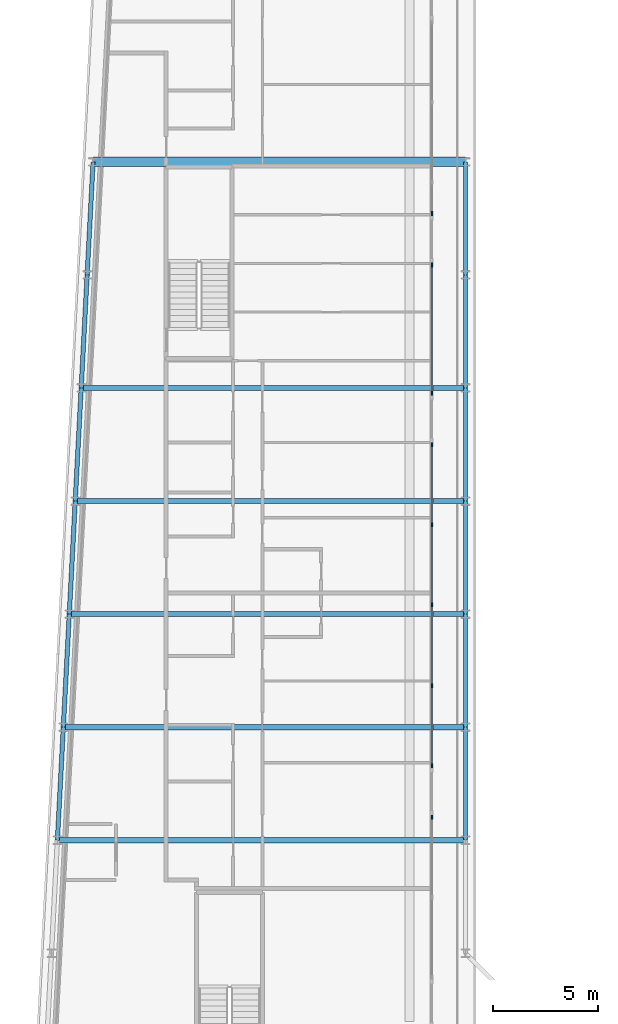
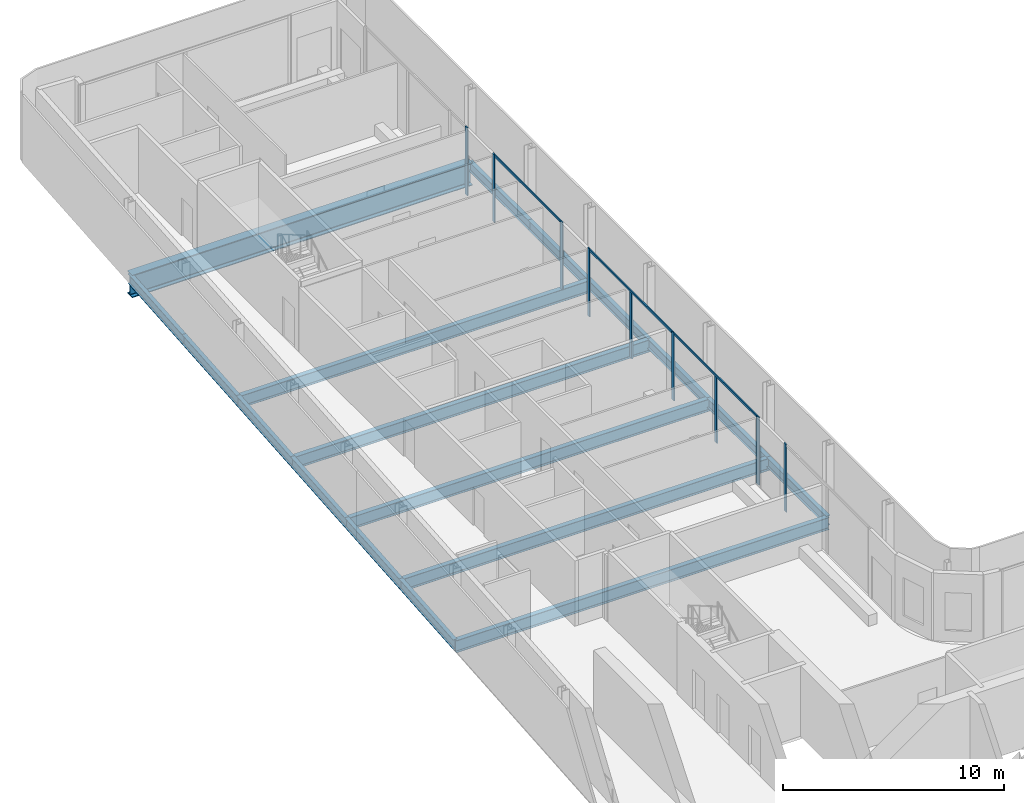
# One storey, part 7 of 20: 18 beams, 12 members, 5 elements without a shape of their own.
"""IFC4 building model written with IfcOpenShell, lengths in metres."""

from ifc_helpers import new_model, si_unit, direction, frame, origin, origin_2d, place, context, subcontext, project, spatial, rectangle, i_section, extrude, material, layer, layer_set, material_profile, profile_set, type_object, element, aggregate, save


model = new_model("IFC4")

# Units and contexts
model_context = context("Model", 3, precision=1e-05, world=origin(), true_north=direction((0.0, 1.0)))
body_context = subcontext(model_context, "Body", "Model", "MODEL_VIEW")
ifc_project = project(units=[si_unit("LENGTHUNIT", "METRE"), si_unit("AREAUNIT", "SQUARE_METRE"), si_unit("VOLUMEUNIT", "CUBIC_METRE"), si_unit("PLANEANGLEUNIT", "RADIAN"), si_unit("MASSUNIT", "GRAM", prefix="KILO")], contexts=[model_context])

# Site, building, storey
site_placement = place(None, origin())
site = spatial("IfcSite", under=ifc_project, at=site_placement, CompositionType="ELEMENT")
building_placement = place(site_placement, origin())
building = spatial("IfcBuilding", under=site, at=building_placement, Name="Kheshtan School and Residences Tower", CompositionType="ELEMENT")
storey_placement = place(building_placement, frame((0.0, 0.0, 286.39990234375)))
storey = spatial("IfcBuildingStorey", under=building, at=storey_placement, Name="L67", CompositionType="ELEMENT", Elevation=286.39990234375)

# Beams
ifc_material_1 = material(Name="Steel ASTM A992 Grade 50", Category="steel")
ifc_material_profile_1 = material_profile(ifc_material_1, i_section(OverallWidth=0.2529296875, OverallDepth=0.677978515625, WebThickness=0.01171875, FlangeThickness=0.016357421875, FilletRadius=0.0146484375, at=origin_2d()), Name="W690x125")
ifc_profile_set_1 = profile_set([ifc_material_profile_1], Name="Steel ASTM A992 Grade 50")
beam_type_1 = type_object("IfcBeamType", Name="Beam FB6 W690x125 ASTM A992 Grade 50", PredefinedType="BEAM", material=ifc_profile_set_1)
beam_1_placement = place(storey_placement, frame((47.60009765625, 78.0, -0.489013671875), z_axis=(-1.0, 0.0, 0.0), x_axis=(0.0, -1.0, 0.0)))
element("IfcBeam", 1, at=beam_1_placement, inside=storey, type_object=beam_type_1, Name="Floor beam C089", PredefinedType="BEAM", context=body_context, shape_type="SweptSolid", body=[
    extrude(i_section(OverallWidth=0.2529296875, OverallDepth=0.677978515625, WebThickness=0.01171875, FlangeThickness=0.016357421875, FilletRadius=0.0146484375, at=origin_2d()), origin(), (0.0, 0.0, 1.0), 18.357177734375),
])
beam_2_placement = place(storey_placement, frame((47.60009765625, 67.199951171875, -0.489013671875), z_axis=(-1.0, 0.0, 0.0), x_axis=(0.0, -1.0, 0.0)))
element("IfcBeam", 2, at=beam_2_placement, inside=storey, type_object=beam_type_1, Name="Floor beam C085", PredefinedType="BEAM", context=body_context, shape_type="SweptSolid", body=[
    extrude(i_section(OverallWidth=0.2529296875, OverallDepth=0.677978515625, WebThickness=0.01171875, FlangeThickness=0.016357421875, FilletRadius=0.0146484375, at=origin_2d()), origin(), (0.0, 0.0, 1.0), 18.926025390625),
])
beam_3_placement = place(storey_placement, frame((47.60009765625, 56.39990234375, -0.489013671875), z_axis=(-1.0, 0.0, 0.0), x_axis=(0.0, -1.0, 0.0)))
element("IfcBeam", 3, at=beam_3_placement, inside=storey, type_object=beam_type_1, Name="Floor beam C081", PredefinedType="BEAM", context=body_context, shape_type="SweptSolid", body=[
    extrude(i_section(OverallWidth=0.2529296875, OverallDepth=0.677978515625, WebThickness=0.01171875, FlangeThickness=0.016357421875, FilletRadius=0.0146484375, at=origin_2d()), origin(), (0.0, 0.0, 1.0), 19.494140625),
])
beam_4_placement = place(storey_placement, frame((28.389892578125, 61.800048828125, -0.489013671875), z_axis=(1.0, 0.0, 0.0), x_axis=(0.0, 1.0, 0.0)))
element("IfcBeam", 4, at=beam_4_placement, inside=storey, type_object=beam_type_1, Name="Floor beam C082", PredefinedType="BEAM", context=body_context, shape_type="SweptSolid", body=[
    extrude(i_section(OverallWidth=0.2529296875, OverallDepth=0.677978515625, WebThickness=0.01171875, FlangeThickness=0.016357421875, FilletRadius=0.0146484375, at=origin_2d()), origin(), (0.0, 0.0, 1.0), 19.210205078125),
])
beam_5_placement = place(storey_placement, frame((28.9580078125, 72.60009765625, -0.489013671875), z_axis=(1.0, 0.0, 0.0), x_axis=(0.0, 1.0, 0.0)))
element("IfcBeam", 5, at=beam_5_placement, inside=storey, type_object=beam_type_1, Name="Floor beam C086", PredefinedType="BEAM", context=body_context, shape_type="SweptSolid", body=[
    extrude(i_section(OverallWidth=0.2529296875, OverallDepth=0.677978515625, WebThickness=0.01171875, FlangeThickness=0.016357421875, FilletRadius=0.0146484375, at=origin_2d()), origin(), (0.0, 0.0, 1.0), 18.64208984375),
])
ifc_material_profile_2 = material_profile(ifc_material_1, i_section(OverallWidth=0.208984375, OverallDepth=0.532958984375, WebThickness=0.01025390625, FlangeThickness=0.015625, FilletRadius=0.013916015625, at=origin_2d()), Name="W530x92")
ifc_profile_set_2 = profile_set([ifc_material_profile_2], Name="Steel ASTM A992 Grade 50")
beam_type_2 = type_object("IfcBeamType", Name="Beam SP3 W530x92 ASTM A992 Grade 50", PredefinedType="BEAM", material=ifc_profile_set_2)
beam_6_placement = place(storey_placement, frame((47.60009765625, 88.800048828125, -0.41650390625), z_axis=(0.0, -1.0, 0.0), x_axis=(1.0, 0.0, 0.0)))
element("IfcBeam", 6, at=beam_6_placement, inside=storey, type_object=beam_type_2, Name="Spandrel beam C099-C091", PredefinedType="BEAM", context=body_context, shape_type="SweptSolid", body=[
    extrude(i_section(OverallWidth=0.208984375, OverallDepth=0.532958984375, WebThickness=0.01025390625, FlangeThickness=0.015625, FilletRadius=0.013916015625, at=origin_2d()), origin(), (0.0, 0.0, 1.0), 5.400146484375),
])
for number, where, z_axis, x_axis, name in (
    (7, (47.60009765625, 83.39990234375, -0.41650390625), (0.0, -1.0, 0.0), (1.0, 0.0, 0.0), "Spandrel beam C091-C089"),
    (8, (47.60009765625, 78.0, -0.41650390625), (0.0, -1.0, 0.0), (1.0, 0.0, 0.0), "Spandrel beam C089-C087"),
):
    element("IfcBeam", number, at=place(storey_placement, frame(where, z_axis=z_axis, x_axis=x_axis)), inside=storey, type_object=beam_type_2, Name=name, PredefinedType="BEAM", context=body_context, shape_type="SweptSolid", body=[
        extrude(i_section(OverallWidth=0.208984375, OverallDepth=0.532958984375, WebThickness=0.01025390625, FlangeThickness=0.015625, FilletRadius=0.013916015625, at=origin_2d()), origin(), (0.0, 0.0, 1.0), 5.39990234375),
    ])
beam_7_placement = place(storey_placement, frame((47.60009765625, 72.60009765625, -0.41650390625), z_axis=(0.0, -1.0, 0.0), x_axis=(1.0, 0.0, 0.0)))
element("IfcBeam", 9, at=beam_7_placement, inside=storey, type_object=beam_type_2, Name="Spandrel beam C087-C085", PredefinedType="BEAM", context=body_context, shape_type="SweptSolid", body=[
    extrude(i_section(OverallWidth=0.208984375, OverallDepth=0.532958984375, WebThickness=0.01025390625, FlangeThickness=0.015625, FilletRadius=0.013916015625, at=origin_2d()), origin(), (0.0, 0.0, 1.0), 5.400146484375),
])
beam_8_placement = place(storey_placement, frame((47.60009765625, 67.199951171875, -0.41650390625), z_axis=(0.0, -1.0, 0.0), x_axis=(1.0, 0.0, 0.0)))
element("IfcBeam", 10, at=beam_8_placement, inside=storey, type_object=beam_type_2, Name="Spandrel beam C085-C083", PredefinedType="BEAM", context=body_context, shape_type="SweptSolid", body=[
    extrude(i_section(OverallWidth=0.208984375, OverallDepth=0.532958984375, WebThickness=0.01025390625, FlangeThickness=0.015625, FilletRadius=0.013916015625, at=origin_2d()), origin(), (0.0, 0.0, 1.0), 5.39990234375),
])
beam_9_placement = place(storey_placement, frame((47.60009765625, 61.800048828125, -0.41650390625), z_axis=(0.0, -1.0, 0.0), x_axis=(1.0, 0.0, 0.0)))
element("IfcBeam", 11, at=beam_9_placement, inside=storey, type_object=beam_type_2, Name="Spandrel beam C083-C081", PredefinedType="BEAM", context=body_context, shape_type="SweptSolid", body=[
    extrude(i_section(OverallWidth=0.208984375, OverallDepth=0.532958984375, WebThickness=0.01025390625, FlangeThickness=0.015625, FilletRadius=0.013916015625, at=origin_2d()), origin(), (0.0, 0.0, 1.0), 5.400146484375),
])
beam_10_placement = place(storey_placement, frame((28.10595703125, 56.39990234375, -0.41650390625), z_axis=(0.05250670125, 0.998620571751, 0.0), x_axis=(-0.998620571751, 0.05250670125, 0.0)))
element("IfcBeam", 12, at=beam_10_placement, inside=storey, type_object=beam_type_2, Name="Spandrel beam C080-C082", PredefinedType="BEAM", context=body_context, shape_type="SweptSolid", body=[
    extrude(i_section(OverallWidth=0.208984375, OverallDepth=0.532958984375, WebThickness=0.01025390625, FlangeThickness=0.015625, FilletRadius=0.013916015625, at=origin_2d()), origin(), (0.0, 0.0, 1.0), 5.40771484375),
])
beam_11_placement = place(storey_placement, frame((28.389892578125, 61.800048828125, -0.41650390625), z_axis=(0.052554093665, 0.998618078766, 0.0), x_axis=(-0.998618078766, 0.052554093665, 0.0)))
element("IfcBeam", 13, at=beam_11_placement, inside=storey, type_object=beam_type_2, Name="Spandrel beam C082-C084", PredefinedType="BEAM", context=body_context, shape_type="SweptSolid", body=[
    extrude(i_section(OverallWidth=0.208984375, OverallDepth=0.532958984375, WebThickness=0.01025390625, FlangeThickness=0.015625, FilletRadius=0.013916015625, at=origin_2d()), origin(), (0.0, 0.0, 1.0), 5.407470703125),
])
beam_12_placement = place(storey_placement, frame((28.674072265625, 67.199951171875, -0.41650390625), z_axis=(0.05250670125, 0.998620571751, 0.0), x_axis=(-0.998620571751, 0.05250670125, 0.0)))
element("IfcBeam", 14, at=beam_12_placement, inside=storey, type_object=beam_type_2, Name="Spandrel beam C084-C086", PredefinedType="BEAM", context=body_context, shape_type="SweptSolid", body=[
    extrude(i_section(OverallWidth=0.208984375, OverallDepth=0.532958984375, WebThickness=0.01025390625, FlangeThickness=0.015625, FilletRadius=0.013916015625, at=origin_2d()), origin(), (0.0, 0.0, 1.0), 5.40771484375),
])
for number, where, z_axis, x_axis, name in (
    (15, (28.9580078125, 72.60009765625, -0.41650390625), (0.052689166816, 0.998610961136, 0.0), (-0.998610961136, 0.052689166816, 0.0), "Spandrel beam C086-C088"),
    (16, (29.242919921875, 78.0, -0.41650390625), (0.052554093665, 0.998618078766, 0.0), (-0.998618078766, 0.052554093665, 0.0), "Spandrel beam C088-C090"),
):
    element("IfcBeam", number, at=place(storey_placement, frame(where, z_axis=z_axis, x_axis=x_axis)), inside=storey, type_object=beam_type_2, Name=name, PredefinedType="BEAM", context=body_context, shape_type="SweptSolid", body=[
        extrude(i_section(OverallWidth=0.208984375, OverallDepth=0.532958984375, WebThickness=0.01025390625, FlangeThickness=0.015625, FilletRadius=0.013916015625, at=origin_2d()), origin(), (0.0, 0.0, 1.0), 5.407470703125),
    ])
beam_13_placement = place(storey_placement, frame((29.527099609375, 83.39990234375, -0.41650390625), z_axis=(0.05250670125, 0.998620571751, 0.0), x_axis=(-0.998620571751, 0.05250670125, 0.0)))
element("IfcBeam", 17, at=beam_13_placement, inside=storey, type_object=beam_type_2, Name="Spandrel beam C090-C098", PredefinedType="BEAM", context=body_context, shape_type="SweptSolid", body=[
    extrude(i_section(OverallWidth=0.208984375, OverallDepth=0.532958984375, WebThickness=0.01025390625, FlangeThickness=0.015625, FilletRadius=0.013916015625, at=origin_2d()), origin(), (0.0, 0.0, 1.0), 5.40771484375),
])

# Curtain wall, member
ifc_material_2 = material(Name="Clear low-e glass in thermally broken aluminium frame", Category="aluminium")
ifc_layer = layer(ifc_material_2, 0.199951171875)
ifc_layer_set = layer_set([ifc_layer], Name="Curtain wall CW-L")
curtain_wall_type = type_object("IfcCurtainWallType", Name="Curtain wall CW-L", PredefinedType="NOTDEFINED", material=ifc_layer_set)
curtain_wall_1_placement = place(storey_placement, origin())
curtain_wall_1 = element("IfcCurtainWall", 18, at=curtain_wall_1_placement, inside=storey, type_object=curtain_wall_type, Name="Curtain wall CWL8a", PredefinedType="NOTDEFINED")
ifc_material_3 = material(Name="Thermally broken aluminium, dark bronze anodised", Category="aluminium")
ifc_material_profile_3 = material_profile(ifc_material_3, rectangle(XDim=0.06005859375, YDim=0.199951171875, at=origin_2d()), Name="CW-L mullion 60x200")
ifc_profile_set_3 = profile_set([ifc_material_profile_3], Name="Thermally broken aluminium, dark bronze anodised")
member_type_1 = type_object("IfcMemberType", Name="CW-L mullion 60x200", PredefinedType="MULLION", material=ifc_profile_set_3)
member_1_placement = place(storey_placement, frame((46.0, 86.3359375, 0.0), z_axis=(0.0, 0.0, 1.0), x_axis=(1.0, 0.0, 0.0)))
member_1 = element("IfcMember", 19, at=member_1_placement, type_object=member_type_1, Name="CWL8a mullion 2", PredefinedType="MULLION", context=body_context, shape_type="SweptSolid", body=[
    extrude(rectangle(XDim=0.06005859375, YDim=0.199951171875, at=origin_2d()), origin(), (0.0, 0.0, 1.0), 3.75),
])
aggregate(curtain_wall_1, [member_1])

# Curtain wall, members
curtain_wall_2_placement = place(storey_placement, origin())
curtain_wall_2 = element("IfcCurtainWall", 20, at=curtain_wall_2_placement, inside=storey, type_object=curtain_wall_type, Name="Curtain wall CWL8d", PredefinedType="NOTDEFINED")
member_2_placement = place(storey_placement, frame((46.0, 83.8759765625, 0.0), z_axis=(0.0, 0.0, 1.0), x_axis=(1.0, 0.0, 0.0)))
member_2 = element("IfcMember", 21, at=member_2_placement, type_object=member_type_1, Name="CWL8d mullion 1", PredefinedType="MULLION", context=body_context, shape_type="SweptSolid", body=[
    extrude(rectangle(XDim=0.06005859375, YDim=0.199951171875, at=origin_2d()), origin(), (0.0, 0.0, 1.0), 3.75),
])
member_3_placement = place(storey_placement, frame((46.0, 77.741943359375, 0.0), z_axis=(0.0, 0.0, 1.0), x_axis=(1.0, 0.0, 0.0)))
member_3 = element("IfcMember", 22, at=member_3_placement, type_object=member_type_1, Name="CWL8d mullion 2", PredefinedType="MULLION", context=body_context, shape_type="SweptSolid", body=[
    extrude(rectangle(XDim=0.06005859375, YDim=0.199951171875, at=origin_2d()), origin(), (0.0, 0.0, 1.0), 3.75),
])

curtain_wall_3_placement = place(storey_placement, origin())
curtain_wall_3 = element("IfcCurtainWall", 23, at=curtain_wall_3_placement, inside=storey, type_object=curtain_wall_type, Name="Curtain wall CWL8", PredefinedType="NOTDEFINED")
member_4_placement = place(storey_placement, frame((46.0, 75.281982421875, 0.0), z_axis=(0.0, 0.0, 1.0), x_axis=(1.0, 0.0, 0.0)))
member_4 = element("IfcMember", 24, at=member_4_placement, type_object=member_type_1, Name="CWL8 mullion 1", PredefinedType="MULLION", context=body_context, shape_type="SweptSolid", body=[
    extrude(rectangle(XDim=0.06005859375, YDim=0.199951171875, at=origin_2d()), origin(), (0.0, 0.0, 1.0), 3.75),
])
member_5_placement = place(storey_placement, frame((46.0, 71.465087890625, 0.0), z_axis=(0.0, 0.0, 1.0), x_axis=(1.0, 0.0, 0.0)))
member_5 = element("IfcMember", 25, at=member_5_placement, type_object=member_type_1, Name="CWL8 mullion 2", PredefinedType="MULLION", context=body_context, shape_type="SweptSolid", body=[
    extrude(rectangle(XDim=0.06005859375, YDim=0.199951171875, at=origin_2d()), origin(), (0.0, 0.0, 1.0), 3.630126953125),
])
member_6_placement = place(storey_placement, frame((46.0, 67.64794921875, 0.0), z_axis=(0.0, 0.0, 1.0), x_axis=(1.0, 0.0, 0.0)))
member_6 = element("IfcMember", 26, at=member_6_placement, type_object=member_type_1, Name="CWL8 mullion 3", PredefinedType="MULLION", context=body_context, shape_type="SweptSolid", body=[
    extrude(rectangle(XDim=0.06005859375, YDim=0.199951171875, at=origin_2d()), origin(), (0.0, 0.0, 1.0), 3.75),
])

curtain_wall_4_placement = place(storey_placement, origin())
curtain_wall_4 = element("IfcCurtainWall", 27, at=curtain_wall_4_placement, inside=storey, type_object=curtain_wall_type, Name="Curtain wall CWL8", PredefinedType="NOTDEFINED")
member_7_placement = place(storey_placement, frame((46.0, 63.77099609375, 0.0), z_axis=(0.0, 0.0, 1.0), x_axis=(1.0, 0.0, 0.0)))
member_7 = element("IfcMember", 28, at=member_7_placement, type_object=member_type_1, Name="CWL8 mullion 2", PredefinedType="MULLION", context=body_context, shape_type="SweptSolid", body=[
    extrude(rectangle(XDim=0.06005859375, YDim=0.199951171875, at=origin_2d()), origin(), (0.0, 0.0, 1.0), 3.630126953125),
])
member_8_placement = place(storey_placement, frame((46.0, 59.9541015625, 0.0), z_axis=(0.0, 0.0, 1.0), x_axis=(1.0, 0.0, 0.0)))
member_8 = element("IfcMember", 29, at=member_8_placement, type_object=member_type_1, Name="CWL8 mullion 3", PredefinedType="MULLION", context=body_context, shape_type="SweptSolid", body=[
    extrude(rectangle(XDim=0.06005859375, YDim=0.199951171875, at=origin_2d()), origin(), (0.0, 0.0, 1.0), 3.75),
])

# Curtain wall, member
curtain_wall_5_placement = place(storey_placement, origin())
curtain_wall_5 = element("IfcCurtainWall", 30, at=curtain_wall_5_placement, inside=storey, type_object=curtain_wall_type, Name="Curtain wall CWL8", PredefinedType="NOTDEFINED")
member_9_placement = place(storey_placement, frame((46.0, 57.493896484375, 0.0), z_axis=(0.0, 0.0, 1.0), x_axis=(1.0, 0.0, 0.0)))
member_9 = element("IfcMember", 31, at=member_9_placement, type_object=member_type_1, Name="CWL8 mullion 1", PredefinedType="MULLION", context=body_context, shape_type="SweptSolid", body=[
    extrude(rectangle(XDim=0.06005859375, YDim=0.199951171875, at=origin_2d()), origin(), (0.0, 0.0, 1.0), 3.75),
])
aggregate(curtain_wall_5, [member_9])

# Member
ifc_material_profile_4 = material_profile(ifc_material_3, rectangle(XDim=0.06005859375, YDim=0.1201171875, at=origin_2d()), Name="CW-L transom 60x120")
ifc_profile_set_4 = profile_set([ifc_material_profile_4], Name="Thermally broken aluminium, dark bronze anodised")
member_type_2 = type_object("IfcMemberType", Name="CW-L transom 60x120", PredefinedType="USERDEFINED", material=ifc_profile_set_4)
member_10_placement = place(storey_placement, frame((46.0, 83.845947265625, 3.690185546875), z_axis=(0.0, -1.0, 0.0), x_axis=(1.0, 0.0, 0.0)))
member_10 = element("IfcMember", 32, at=member_10_placement, type_object=member_type_2, Name="CWL8d transom 1", ObjectType="TRANSOM", PredefinedType="USERDEFINED", context=body_context, shape_type="SweptSolid", body=[
    extrude(rectangle(XDim=0.06005859375, YDim=0.1201171875, at=origin_2d()), origin(), (0.0, 0.0, 1.0), 6.073974609375),
])

aggregate(curtain_wall_2, [member_2, member_3, member_10])

member_11_placement = place(storey_placement, frame((46.0, 75.251953125, 3.690185546875), z_axis=(0.0, -1.0, 0.0), x_axis=(1.0, 0.0, 0.0)))
member_11 = element("IfcMember", 33, at=member_11_placement, type_object=member_type_2, Name="CWL8 transom 1", ObjectType="TRANSOM", PredefinedType="USERDEFINED", context=body_context, shape_type="SweptSolid", body=[
    extrude(rectangle(XDim=0.06005859375, YDim=0.1201171875, at=origin_2d()), origin(), (0.0, 0.0, 1.0), 7.573974609375),
])

aggregate(curtain_wall_3, [member_4, member_5, member_6, member_11])

member_12_placement = place(storey_placement, frame((46.0, 67.617919921875, 3.690185546875), z_axis=(0.0, -1.0, 0.0), x_axis=(1.0, 0.0, 0.0)))
member_12 = element("IfcMember", 34, at=member_12_placement, type_object=member_type_2, Name="CWL8 transom 1", ObjectType="TRANSOM", PredefinedType="USERDEFINED", context=body_context, shape_type="SweptSolid", body=[
    extrude(rectangle(XDim=0.06005859375, YDim=0.1201171875, at=origin_2d()), origin(), (0.0, 0.0, 1.0), 7.634033203125),
])

aggregate(curtain_wall_4, [member_7, member_8, member_12])

# Beam
ifc_material_profile_5 = material_profile(ifc_material_1, i_section(OverallWidth=0.449951171875, OverallDepth=1.25, WebThickness=0.02490234375, FlangeThickness=0.044921875, FilletRadius=0.03759765625, at=origin_2d()), Name="WWF1250x546")
ifc_profile_set_5 = profile_set([ifc_material_profile_5], Name="Steel ASTM A992 Grade 50")
beam_type_3 = type_object("IfcBeamType", Name="Transfer girder TG4 WWF1250x546 ASTM A992 Grade 50", PredefinedType="BEAM", material=ifc_profile_set_5)
beam_14_placement = place(storey_placement, frame((29.81103515625, 88.800048828125, -0.77490234375), z_axis=(1.0, 0.0, 0.0), x_axis=(0.0, 1.0, 0.0)))
element("IfcBeam", 35, at=beam_14_placement, inside=storey, type_object=beam_type_3, Name="Transfer girder C098-C099", PredefinedType="BEAM", context=body_context, shape_type="SweptSolid", body=[
    extrude(i_section(OverallWidth=0.449951171875, OverallDepth=1.25, WebThickness=0.02490234375, FlangeThickness=0.044921875, FilletRadius=0.03759765625, at=origin_2d()), origin(), (0.0, 0.0, 1.0), 17.7890625),
])

save(model, "model.ifc")
